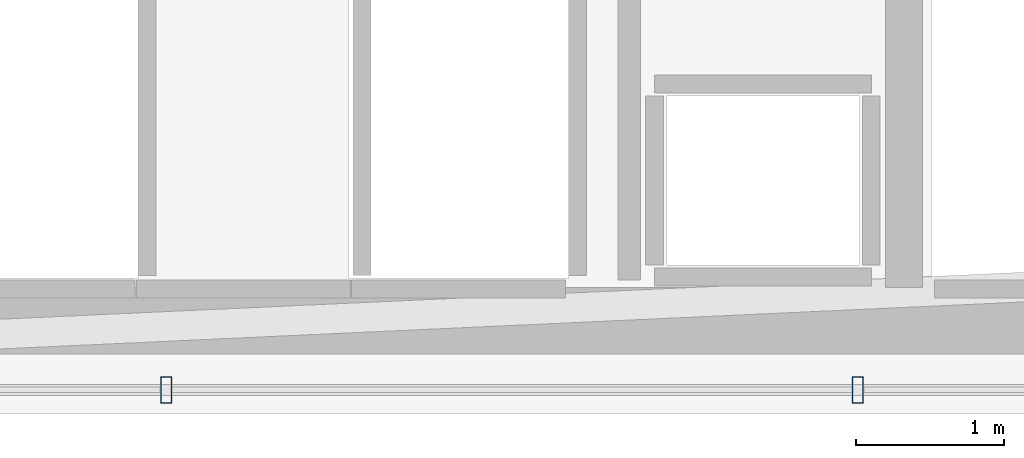
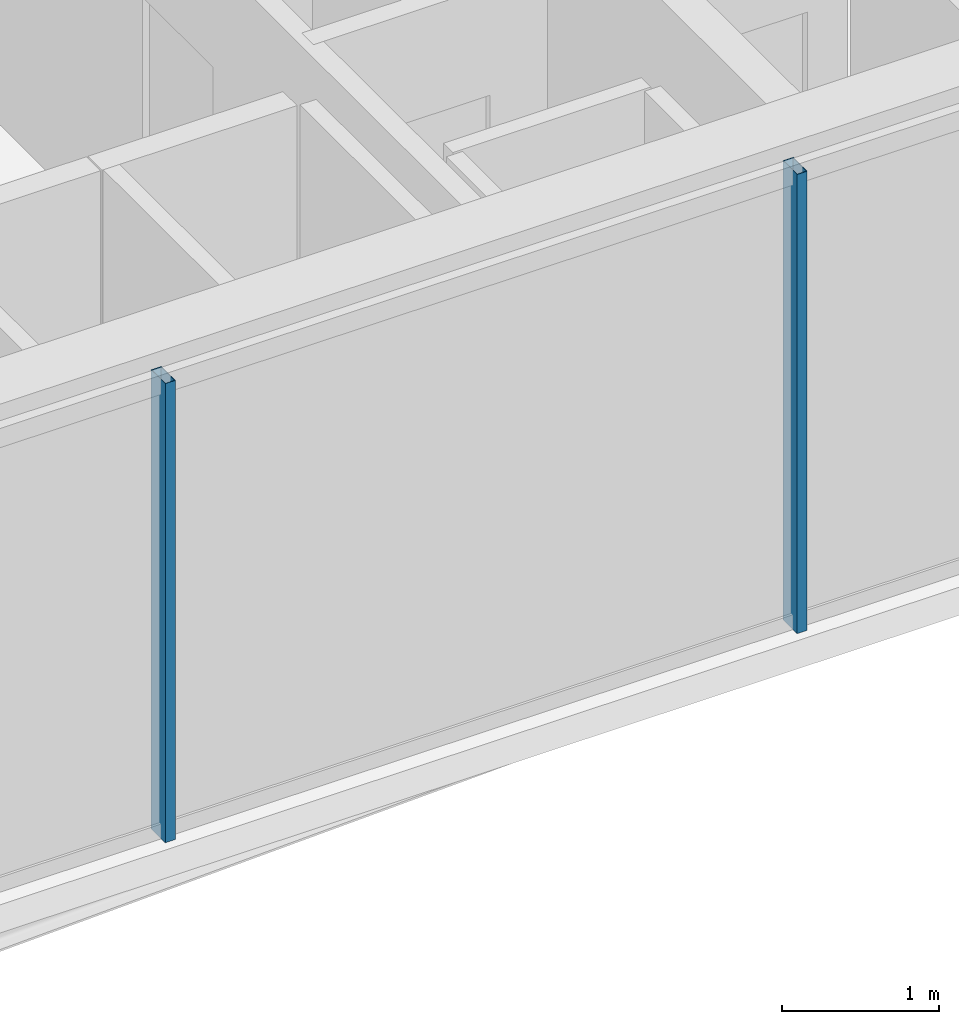
# One storey, part 9 of 33: 2 members, 1 element without a shape of its own.
"""IFC4 building model written with IfcOpenShell, lengths in metres."""

from ifc_helpers import new_model, si_unit, direction, frame, origin, origin_2d, place, context, subcontext, project, spatial, hollow_rectangle, extrude, material, layer, layer_set, material_profile, profile_set, type_object, element, aggregate, save


model = new_model("IFC4")

# Units and contexts
model_context = context("Model", 3, precision=1e-05, world=origin(), true_north=direction((0.0, 1.0)))
body_context = subcontext(model_context, "Body", "Model", "MODEL_VIEW")
ifc_project = project(units=[si_unit("LENGTHUNIT", "METRE"), si_unit("AREAUNIT", "SQUARE_METRE"), si_unit("VOLUMEUNIT", "CUBIC_METRE"), si_unit("PLANEANGLEUNIT", "RADIAN"), si_unit("MASSUNIT", "GRAM", prefix="KILO")], contexts=[model_context])

# Site, building, storey
site_placement = place(None, origin())
site = spatial("IfcSite", under=ifc_project, at=site_placement, CompositionType="ELEMENT")
building_placement = place(site_placement, origin())
building = spatial("IfcBuilding", under=site, at=building_placement, Name="Ndaravel Arena Tower", CompositionType="ELEMENT")
storey_placement = place(building_placement, frame((0.0, 0.0, 85.39990234375)))
storey = spatial("IfcBuildingStorey", under=building, at=storey_placement, Name="L19", CompositionType="ELEMENT", Elevation=85.39990234375)

# Curtain wall, members
ifc_material_1 = material(Name="Aluminium", Category="aluminium")
ifc_layer = layer(ifc_material_1, 0.179931640625)
ifc_layer_set = layer_set([ifc_layer], Name="Aluminium")
curtain_wall_type = type_object("IfcCurtainWallType", Name="CW-SYS-03", PredefinedType="NOTDEFINED", material=ifc_layer_set)
curtain_wall_placement = place(storey_placement, origin())
curtain_wall = element("IfcCurtainWall", 1, at=curtain_wall_placement, inside=storey, type_object=curtain_wall_type, Name="L19 Faceted Crystal Curtain Wall CW-L19-E01", PredefinedType="NOTDEFINED")
ifc_material_2 = material(Name="Aluminium", Category="aluminium")
ifc_material_profile = material_profile(ifc_material_2, hollow_rectangle(XDim=0.074951171875, YDim=0.179931640625, WallThickness=0.00390625, at=origin_2d()), Name="CW MULLION 75x180x4")
ifc_profile_set = profile_set([ifc_material_profile], Name="Aluminium")
member_type = type_object("IfcMemberType", Name="MEM-CW-MUL180", PredefinedType="MULLION", material=ifc_profile_set)
member_1_placement = place(storey_placement, frame((44.329833984375, 5.159912109375, 0.0), z_axis=(0.0, 0.0, 1.0), x_axis=(1.0, 0.0, 0.0)))
member_1 = element("IfcMember", 2, at=member_1_placement, type_object=member_type, Name="CW-L19-E01 Mullion 04", PredefinedType="MULLION", context=body_context, shape_type="SweptSolid", body=[
    extrude(hollow_rectangle(XDim=0.074951171875, YDim=0.179931640625, WallThickness=0.00390625, at=origin_2d()), origin(), (0.0, 0.0, 1.0), 3.580078125),
])
member_2_placement = place(storey_placement, frame((48.989501953125, 5.159912109375, 0.0), z_axis=(0.0, 0.0, 1.0), x_axis=(1.0, 0.0, 0.0)))
member_2 = element("IfcMember", 3, at=member_2_placement, type_object=member_type, Name="CW-L19-E01 Mullion 05", PredefinedType="MULLION", context=body_context, shape_type="SweptSolid", body=[
    extrude(hollow_rectangle(XDim=0.074951171875, YDim=0.179931640625, WallThickness=0.00390625, at=origin_2d()), origin(), (0.0, 0.0, 1.0), 3.580078125),
])
aggregate(curtain_wall, [member_1, member_2])

save(model, "model.ifc")
